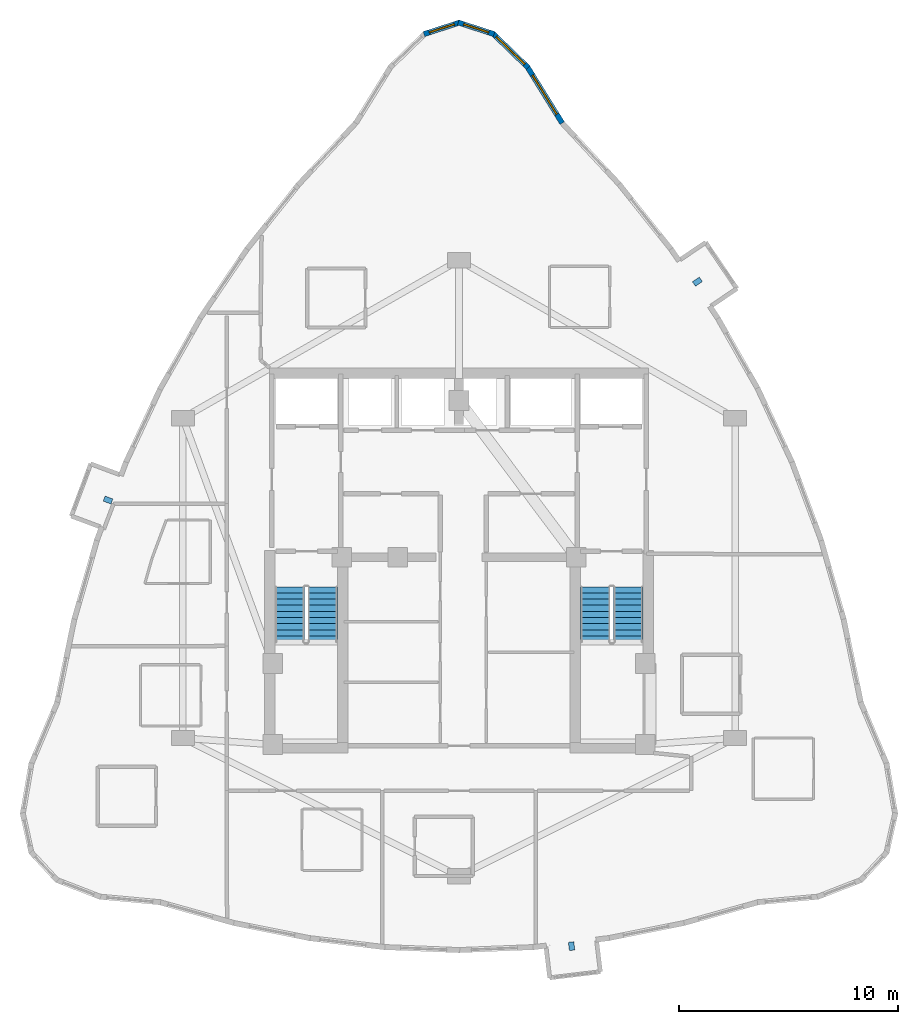
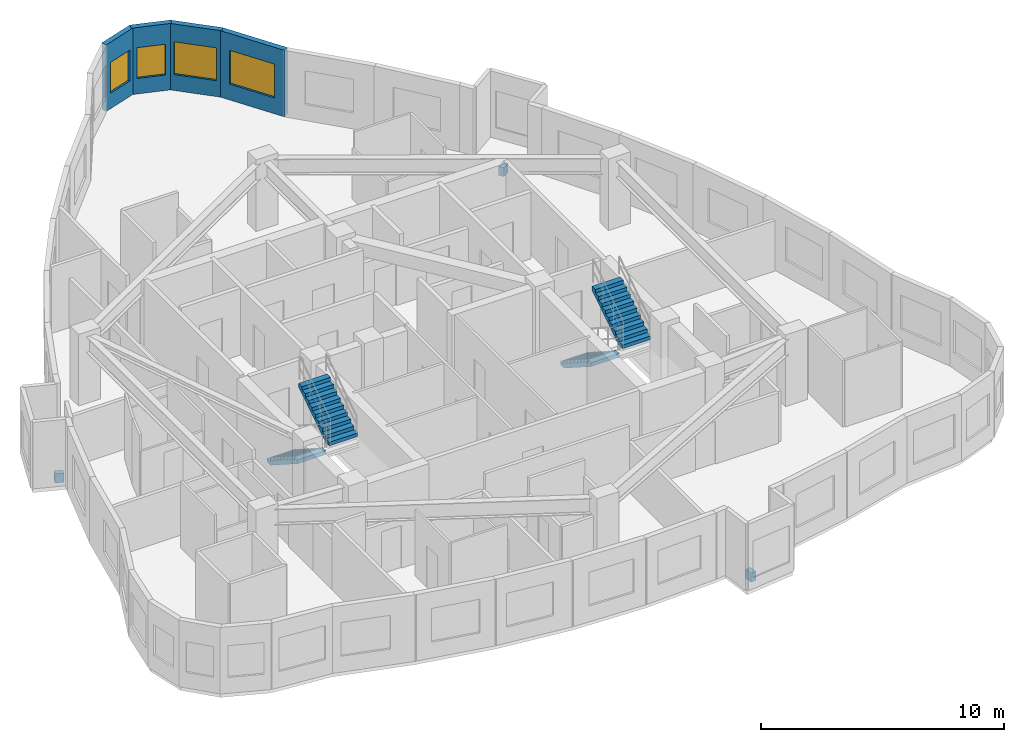
# One storey, part 8 of 9: 4 stair flights, 4 walls, 4 windows, 3 discrete accessories, 4 openings, 2 elements without a shape of their own.
"""IFC4 building model written with IfcOpenShell, lengths in metres."""

from ifc_helpers import new_model, si_unit, direction, frame, frame_2d, origin, origin_2d, place, context, subcontext, project, spatial, polyline, rectangle, outline, extrude, material, layer, layer_set, type_object, element, fill, aggregate, save


model = new_model("IFC4")

# Units and contexts
model_context = context("Model", 3, precision=1e-05, world=origin(), true_north=direction((0.0, 1.0)))
body_context = subcontext(model_context, "Body", "Model", "MODEL_VIEW")
ifc_project = project(units=[si_unit("LENGTHUNIT", "METRE"), si_unit("AREAUNIT", "SQUARE_METRE"), si_unit("VOLUMEUNIT", "CUBIC_METRE"), si_unit("PLANEANGLEUNIT", "RADIAN"), si_unit("MASSUNIT", "GRAM", prefix="KILO")], contexts=[model_context])

# Site, building, storey
site_placement = place(None, origin())
site = spatial("IfcSite", under=ifc_project, at=site_placement, CompositionType="ELEMENT")
building_placement = place(site_placement, origin())
building = spatial("IfcBuilding", under=site, at=building_placement, Name="Miruveldt Soraemaru", CompositionType="ELEMENT")
storey_placement = place(building_placement, frame((0.0, 0.0, 241.199951171875)))
storey = spatial("IfcBuildingStorey", under=building, at=storey_placement, Name="L66", CompositionType="ELEMENT", Elevation=241.199951171875)

# Wall, opening, window
ifc_material_1 = material(Name="Precast concrete C45/55 (45 MPa)", Category="concrete")
ifc_layer = layer(ifc_material_1, 0.239990234375, Name="Precast concrete C45/55 (45 MPa)", Category="concrete")
ifc_layer_set = layer_set([ifc_layer], Name="Precast concrete C45/55 (45 MPa)")
wall_type = type_object("IfcWallType", Name="WALL-EXT-PC240", PredefinedType="SOLIDWALL", material=ifc_layer_set)
wall_1_placement = place(storey_placement, frame((48.7109375, 63.859375, 0.0), z_axis=(0.0, 0.0, 1.0), x_axis=(-0.526092225985, 0.850427521755, 0.0)))
wall_1 = element("IfcWall", 1, at=wall_1_placement, inside=storey, type_object=wall_type, Name="L66 Precast Concrete Facade Wall 1", PredefinedType="SOLIDWALL", context=body_context, shape_type="SweptSolid", body=[
    extrude(rectangle(XDim=3.043212890625, YDim=0.239990234375, at=frame_2d((1.521484375, 0.0))), origin(), (0.0, 0.0, 1.0), 3.344970703125),
])
opening_1_placement = place(wall_1_placement, frame((0.471923828125, 0.0, 0.800048828125)))
opening_1 = element("IfcOpeningElement", 2, at=opening_1_placement, cuts=wall_1, Name="Opening WN-1", PredefinedType="OPENING", context=body_context, shape_type="SweptSolid", body=[
    extrude(rectangle(XDim=2.10009765625, YDim=1.699951171875, at=frame_2d((1.050048828125, 0.85009765625))), frame((0.0, 0.1298828125, 0.0), z_axis=(0.0, -1.0, 0.0), x_axis=(1.0, 0.0, 0.0)), (0.0, 0.0, 1.0), 0.260009765625),
])
ifc_material_2 = material(Name="Triple low-e insulated glazing", Category="glass")
window_type_1 = type_object("IfcWindowType", Name="WIN-PUNCH-2100x1700", PartitioningType="SINGLE_PANEL", PredefinedType="WINDOW", material=ifc_material_2)
window_1_placement = place(opening_1_placement, origin())
window_1 = element("IfcWindow", 3, at=window_1_placement, inside=storey, type_object=window_type_1, Name="L66 Punched Triple-Glazed Window 01.1", OverallHeight=1.699951171875, OverallWidth=2.10009765625, PartitioningType="SINGLE_PANEL", PredefinedType="WINDOW", context=body_context, shape_type="SweptSolid", body=[
    extrude(rectangle(XDim=2.10009765625, YDim=1.699951171875, at=frame_2d((1.050048828125, 0.85009765625))), frame((0.0, 0.030029296875, 0.0), z_axis=(0.0, -1.0, 0.0), x_axis=(1.0, 0.0, 0.0)), (0.0, 0.0, 1.0), 0.06005859375),
])
fill(opening_1, window_1)

wall_2_placement = place(storey_placement, frame((47.1533203125, 66.393310546875, 0.0), z_axis=(0.0, 0.0, 1.0), x_axis=(-0.717772148555, 0.696278064252, 0.0)))
wall_2 = element("IfcWall", 4, at=wall_2_placement, inside=storey, type_object=wall_type, Name="L66 Precast Concrete Facade Wall 2", PredefinedType="SOLIDWALL", context=body_context, shape_type="SweptSolid", body=[
    extrude(rectangle(XDim=2.2490234375, YDim=0.239990234375, at=frame_2d((1.12451171875, 0.0))), origin(), (0.0, 0.0, 1.0), 3.344970703125),
])
opening_2_placement = place(wall_2_placement, frame((0.22509765625, 0.0, 0.800048828125)))
opening_2 = element("IfcOpeningElement", 5, at=opening_2_placement, cuts=wall_2, Name="Opening WN-2", PredefinedType="OPENING", context=body_context, shape_type="SweptSolid", body=[
    extrude(rectangle(XDim=1.800048828125, YDim=1.64990234375, at=frame_2d((0.89990234375, 0.824951171875))), frame((0.0, 0.1298828125, 0.0), z_axis=(0.0, -1.0, 0.0), x_axis=(1.0, 0.0, 0.0)), (0.0, 0.0, 1.0), 0.260009765625),
])
window_type_2 = type_object("IfcWindowType", Name="WIN-PUNCH-1800x1650", PartitioningType="SINGLE_PANEL", PredefinedType="WINDOW", material=ifc_material_2)
window_2_placement = place(opening_2_placement, origin())
window_2 = element("IfcWindow", 6, at=window_2_placement, inside=storey, type_object=window_type_2, Name="L66 Punched Triple-Glazed Window 02.1", OverallHeight=1.64990234375, OverallWidth=1.800048828125, PartitioningType="SINGLE_PANEL", PredefinedType="WINDOW", context=body_context, shape_type="SweptSolid", body=[
    extrude(rectangle(XDim=1.800048828125, YDim=1.64990234375, at=frame_2d((0.89990234375, 0.824951171875))), frame((0.0, 0.030029296875, 0.0), z_axis=(0.0, -1.0, 0.0), x_axis=(1.0, 0.0, 0.0)), (0.0, 0.0, 1.0), 0.06005859375),
])
fill(opening_2, window_2)

wall_3_placement = place(storey_placement, frame((45.597412109375, 67.924072265625, 0.0), z_axis=(0.0, 0.0, 1.0), x_axis=(-0.951480098924, 0.307710288018, 0.0)))
wall_3 = element("IfcWall", 7, at=wall_3_placement, inside=storey, type_object=wall_type, Name="L66 Precast Concrete Facade Wall 3", PredefinedType="SOLIDWALL", context=body_context, shape_type="SweptSolid", body=[
    extrude(rectangle(XDim=1.7138671875, YDim=0.239990234375, at=frame_2d((0.85693359375, 0.0))), origin(), (0.0, 0.0, 1.0), 3.344970703125),
])
opening_3_placement = place(wall_3_placement, frame((0.257080078125, 0.0, 0.780029296875)))
opening_3 = element("IfcOpeningElement", 8, at=opening_3_placement, cuts=wall_3, Name="Opening WN-4", PredefinedType="OPENING", context=body_context, shape_type="SweptSolid", body=[
    extrude(rectangle(XDim=1.199951171875, YDim=1.550048828125, at=frame_2d((0.60009765625, 0.77490234375))), frame((0.0, 0.1298828125, 0.0), z_axis=(0.0, -1.0, 0.0), x_axis=(1.0, 0.0, 0.0)), (0.0, 0.0, 1.0), 0.260009765625),
])
window_type_3 = type_object("IfcWindowType", Name="WIN-PUNCH-1200x1550", PartitioningType="SINGLE_PANEL", PredefinedType="WINDOW", material=ifc_material_2)
window_3_placement = place(opening_3_placement, origin())
window_3 = element("IfcWindow", 9, at=window_3_placement, inside=storey, type_object=window_type_3, Name="L66 Punched Triple-Glazed Window 03.1", OverallHeight=1.550048828125, OverallWidth=1.199951171875, PartitioningType="SINGLE_PANEL", PredefinedType="WINDOW", context=body_context, shape_type="SweptSolid", body=[
    extrude(rectangle(XDim=1.199951171875, YDim=1.550048828125, at=frame_2d((0.60009765625, 0.77490234375))), frame((0.0, 0.030029296875, 0.0), z_axis=(0.0, -1.0, 0.0), x_axis=(1.0, 0.0, 0.0)), (0.0, 0.0, 1.0), 0.06005859375),
])
fill(opening_3, window_3)

wall_4_placement = place(storey_placement, frame((44.033203125, 68.451416015625, 0.0), z_axis=(0.0, 0.0, 1.0), x_axis=(-0.951480098924, -0.307710288018, 0.0)))
wall_4 = element("IfcWall", 10, at=wall_4_placement, inside=storey, type_object=wall_type, Name="L66 Precast Concrete Facade Wall 4", PredefinedType="SOLIDWALL", context=body_context, shape_type="SweptSolid", body=[
    extrude(rectangle(XDim=1.7138671875, YDim=0.239990234375, at=frame_2d((0.85693359375, 0.0))), origin(), (0.0, 0.0, 1.0), 3.344970703125),
])
opening_4_placement = place(wall_4_placement, frame((0.257080078125, 0.0, 0.780029296875)))
opening_4 = element("IfcOpeningElement", 11, at=opening_4_placement, cuts=wall_4, Name="Opening WN-4", PredefinedType="OPENING", context=body_context, shape_type="SweptSolid", body=[
    extrude(rectangle(XDim=1.199951171875, YDim=1.550048828125, at=frame_2d((0.60009765625, 0.77490234375))), frame((0.0, 0.1298828125, 0.0), z_axis=(0.0, -1.0, 0.0), x_axis=(1.0, 0.0, 0.0)), (0.0, 0.0, 1.0), 0.260009765625),
])
window_4_placement = place(opening_4_placement, origin())
window_4 = element("IfcWindow", 12, at=window_4_placement, inside=storey, type_object=window_type_3, Name="L66 Punched Triple-Glazed Window 04.1", OverallHeight=1.550048828125, OverallWidth=1.199951171875, PartitioningType="SINGLE_PANEL", PredefinedType="WINDOW", context=body_context, shape_type="SweptSolid", body=[
    extrude(rectangle(XDim=1.199951171875, YDim=1.550048828125, at=frame_2d((0.60009765625, 0.77490234375))), frame((0.0, 0.030029296875, 0.0), z_axis=(0.0, -1.0, 0.0), x_axis=(1.0, 0.0, 0.0)), (0.0, 0.0, 1.0), 0.06005859375),
])
fill(opening_4, window_4)

# Stair, stair flights
ifc_material_3 = material(Name="Concrete C40/50 (40 MPa)", Category="concrete")
stair_type = type_object("IfcStairType", Name="STAIR-DL-360", PredefinedType="HALF_TURN_STAIR", material=ifc_material_3)
stair_1_placement = place(storey_placement, origin())
stair_1 = element("IfcStair", 13, at=stair_1_placement, inside=storey, type_object=stair_type, Name="L66 Protected Exit Stair ST-1", PredefinedType="HALF_TURN_STAIR")
stair_flight_type = type_object("IfcStairFlightType", Name="SFL-DL-360", PredefinedType="STRAIGHT", material=ifc_material_3)
stair_flight_1_placement = place(storey_placement, frame((36.27490234375, 42.699951171875, 0.0), z_axis=(0.0, 0.0, 1.0), x_axis=(0.0, -1.0, 0.0)))
stair_flight_1 = element("IfcStairFlight", 14, at=stair_flight_1_placement, type_object=stair_flight_type, Name="ST-1 flight 1", NumberOfRisers=10, NumberOfTreads=9, PredefinedType="STRAIGHT", RiserHeight=0.18, TreadLength=0.28, context=body_context, shape_type="SweptSolid", body=[
    extrude(outline(polyline([(0.0, 0.0), (0.0, 0.179931640625), (0.280029296875, 0.179931640625), (0.280029296875, 0.360107421875), (0.56005859375, 0.360107421875), (0.56005859375, 0.5400390625), (0.840087890625, 0.5400390625), (0.840087890625, 0.719970703125), (1.1201171875, 0.719970703125), (1.1201171875, 0.89990234375), (1.39990234375, 0.89990234375), (1.39990234375, 1.080078125), (1.679931640625, 1.080078125), (1.679931640625, 1.260009765625), (1.9599609375, 1.260009765625), (1.9599609375, 1.43994140625), (2.239990234375, 1.43994140625), (2.239990234375, 1.6201171875), (2.52001953125, 1.6201171875), (2.52001953125, 1.800048828125), (2.52001953125, 1.429931640625), (0.295654296875, 0.0), (0.0, 0.0)])), frame((0.0, 0.675048828125, 0.0), z_axis=(0.0, -1.0, 0.0), x_axis=(1.0, 0.0, 0.0)), (0.0, 0.0, 1.0), 1.35009765625),
])
stair_flight_2_placement = place(storey_placement, frame((37.77490234375, 40.179931640625, 1.800048828125), z_axis=(0.0, 0.0, 1.0), x_axis=(0.0, 1.0, 0.0)))
stair_flight_2 = element("IfcStairFlight", 15, at=stair_flight_2_placement, type_object=stair_flight_type, Name="ST-1 flight 2", NumberOfRisers=10, NumberOfTreads=9, PredefinedType="STRAIGHT", RiserHeight=0.18, TreadLength=0.28, context=body_context, shape_type="SweptSolid", body=[
    extrude(outline(polyline([(0.0, 0.0), (0.0, 0.179931640625), (0.280029296875, 0.179931640625), (0.280029296875, 0.360107421875), (0.56005859375, 0.360107421875), (0.56005859375, 0.5400390625), (0.840087890625, 0.5400390625), (0.840087890625, 0.719970703125), (1.1201171875, 0.719970703125), (1.1201171875, 0.89990234375), (1.39990234375, 0.89990234375), (1.39990234375, 1.080078125), (1.679931640625, 1.080078125), (1.679931640625, 1.260009765625), (1.9599609375, 1.260009765625), (1.9599609375, 1.43994140625), (2.239990234375, 1.43994140625), (2.239990234375, 1.6201171875), (2.52001953125, 1.6201171875), (2.52001953125, 1.800048828125), (2.52001953125, 1.429931640625), (0.295654296875, 0.0), (0.0, 0.0)])), frame((0.0, 0.675048828125, 0.0), z_axis=(0.0, -1.0, 0.0), x_axis=(1.0, 0.0, 0.0)), (0.0, 0.0, 1.0), 1.35009765625),
])
aggregate(stair_1, [stair_flight_1, stair_flight_2])

stair_2_placement = place(storey_placement, origin())
stair_2 = element("IfcStair", 16, at=stair_2_placement, inside=storey, type_object=stair_type, Name="L66 Protected Exit Stair ST-2", PredefinedType="HALF_TURN_STAIR")
stair_flight_3_placement = place(storey_placement, frame((50.22509765625, 42.699951171875, 0.0), z_axis=(0.0, 0.0, 1.0), x_axis=(0.0, -1.0, 0.0)))
stair_flight_3 = element("IfcStairFlight", 17, at=stair_flight_3_placement, type_object=stair_flight_type, Name="ST-2 flight 1", NumberOfRisers=10, NumberOfTreads=9, PredefinedType="STRAIGHT", RiserHeight=0.18, TreadLength=0.28, context=body_context, shape_type="SweptSolid", body=[
    extrude(outline(polyline([(0.0, 0.0), (0.0, 0.179931640625), (0.280029296875, 0.179931640625), (0.280029296875, 0.360107421875), (0.56005859375, 0.360107421875), (0.56005859375, 0.5400390625), (0.840087890625, 0.5400390625), (0.840087890625, 0.719970703125), (1.1201171875, 0.719970703125), (1.1201171875, 0.89990234375), (1.39990234375, 0.89990234375), (1.39990234375, 1.080078125), (1.679931640625, 1.080078125), (1.679931640625, 1.260009765625), (1.9599609375, 1.260009765625), (1.9599609375, 1.43994140625), (2.239990234375, 1.43994140625), (2.239990234375, 1.6201171875), (2.52001953125, 1.6201171875), (2.52001953125, 1.800048828125), (2.52001953125, 1.429931640625), (0.295654296875, 0.0), (0.0, 0.0)])), frame((0.0, 0.675048828125, 0.0), z_axis=(0.0, -1.0, 0.0), x_axis=(1.0, 0.0, 0.0)), (0.0, 0.0, 1.0), 1.35009765625),
])
stair_flight_4_placement = place(storey_placement, frame((51.72509765625, 40.179931640625, 1.800048828125), z_axis=(0.0, 0.0, 1.0), x_axis=(0.0, 1.0, 0.0)))
stair_flight_4 = element("IfcStairFlight", 18, at=stair_flight_4_placement, type_object=stair_flight_type, Name="ST-2 flight 2", NumberOfRisers=10, NumberOfTreads=9, PredefinedType="STRAIGHT", RiserHeight=0.18, TreadLength=0.28, context=body_context, shape_type="SweptSolid", body=[
    extrude(outline(polyline([(0.0, 0.0), (0.0, 0.179931640625), (0.280029296875, 0.179931640625), (0.280029296875, 0.360107421875), (0.56005859375, 0.360107421875), (0.56005859375, 0.5400390625), (0.840087890625, 0.5400390625), (0.840087890625, 0.719970703125), (1.1201171875, 0.719970703125), (1.1201171875, 0.89990234375), (1.39990234375, 0.89990234375), (1.39990234375, 1.080078125), (1.679931640625, 1.080078125), (1.679931640625, 1.260009765625), (1.9599609375, 1.260009765625), (1.9599609375, 1.43994140625), (2.239990234375, 1.43994140625), (2.239990234375, 1.6201171875), (2.52001953125, 1.6201171875), (2.52001953125, 1.800048828125), (2.52001953125, 1.429931640625), (0.295654296875, 0.0), (0.0, 0.0)])), frame((0.0, 0.675048828125, 0.0), z_axis=(0.0, -1.0, 0.0), x_axis=(1.0, 0.0, 0.0)), (0.0, 0.0, 1.0), 1.35009765625),
])
aggregate(stair_2, [stair_flight_3, stair_flight_4])

# Discrete accessories
ifc_material_4 = material(Name="Steel SM355 (355 MPa)", Category="steel")
discrete_accessory_type = type_object("IfcDiscreteAccessoryType", Name="ACC-BAY-BRK", PredefinedType="BRACKET", material=ifc_material_4)
for number, where, z_axis, x_axis, name in (
    (19, (27.98486328125, 46.659912109375, -0.69970703125), (0.0, 0.0, 1.0), (-0.93711153314, 0.349030048069, 0.0), "L66 Bay Window Cantilever Bracket 1"),
    (20, (49.13818359375, 26.30224609375, -0.69970703125), (0.0, 0.0, 1.0), (0.119131818163, -0.99287844669, 0.0), "L66 Bay Window Cantilever Bracket 2"),
    (21, (54.87841796875, 56.62451171875, -0.69970703125), (0.0, 0.0, 1.0), (0.827923319955, 0.560841311134, 0.0), "L66 Bay Window Cantilever Bracket 3"),
):
    element("IfcDiscreteAccessory", number, at=place(storey_placement, frame(where, z_axis=z_axis, x_axis=x_axis)), inside=storey, type_object=discrete_accessory_type, Name=name, PredefinedType="BRACKET", context=body_context, shape_type="SweptSolid", body=[
        extrude(rectangle(XDim=0.3798828125, YDim=0.25, at=origin_2d()), origin(), (0.0, 0.0, 1.0), 0.449951171875),
    ])

save(model, "model.ifc")
